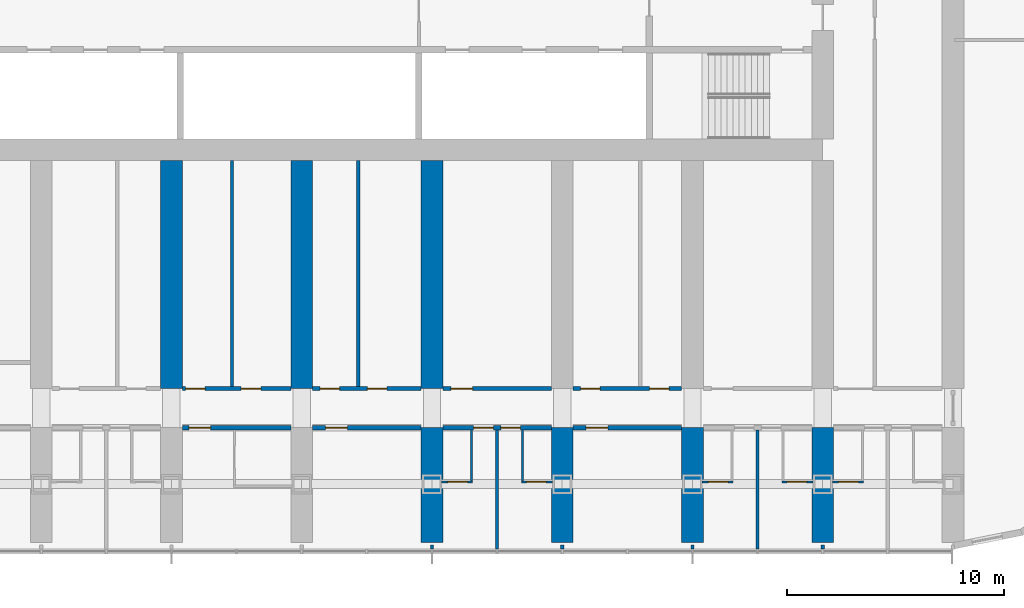
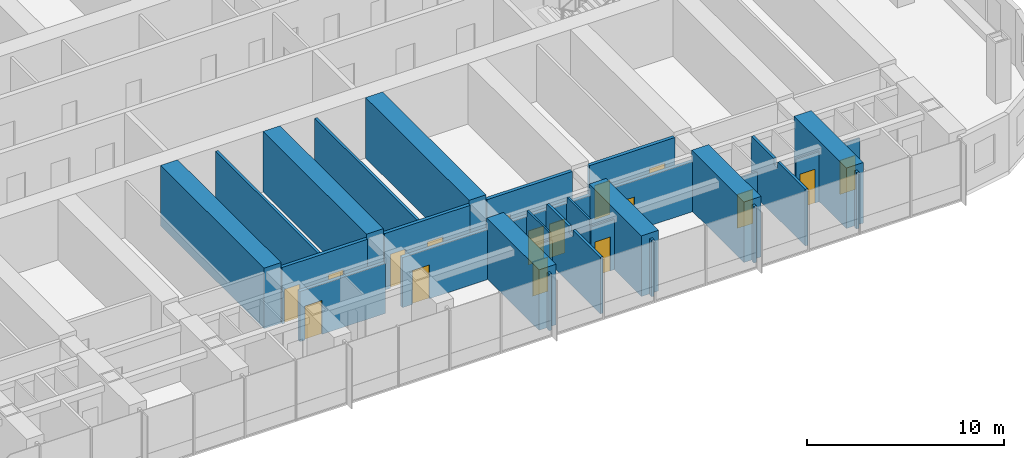
# One storey, part 12 of 24: 30 walls, 17 doors, 17 openings.
"""IFC4 building model written with IfcOpenShell, lengths in metres."""

import ifcopenshell
import ifcopenshell.guid

model = None  # the IFC model being written
_history = None  # IfcOwnerHistory: only IFC2X3 demands one
_inside = {}  # id of a spatial element -> (the spatial element, [elements in it])
_under = {}  # id of a project, library or spatial element -> (it, [spatial elements below it])
_declared = {}  # id of a project -> (the project, [libraries it declares])
_typed = {}  # id of a type object -> (the type object, [elements of that type])
_made_of = {}  # id of a material, layer set ... -> (it, [elements and type objects made of it])


def new_model(schema):
    """Start an empty IFC model of exactly this schema.

    Asked for "IFC4X3", IfcOpenShell would pick the latest addendum, in which some entities
    have other attributes; the version numbers below select the first issue.
    IFC2X3 requires an IfcOwnerHistory on every rooted entity: one is made here for all.
    """
    global model, _history
    if schema == "IFC4X3":
        model = ifcopenshell.file(schema_version=(4, 3, 0, 0))
    else:
        model = ifcopenshell.file(schema=schema)
    _inside.clear()
    _under.clear()
    _declared.clear()
    _typed.clear()
    _made_of.clear()
    _history = None
    if model.schema == "IFC2X3":
        org = make("IfcOrganization", Name="unknown")
        user = make(
            "IfcPersonAndOrganization",
            ThePerson=make("IfcPerson", FamilyName="unknown"),
            TheOrganization=org,
        )
        app = make(
            "IfcApplication",
            ApplicationDeveloper=org,
            Version="unknown",
            ApplicationFullName="unknown",
            ApplicationIdentifier="unknown",
        )
        _history = make(
            "IfcOwnerHistory",
            OwningUser=user,
            OwningApplication=app,
            ChangeAction="ADDED",
            CreationDate=0,
        )
    return model


def make(cls, **values):
    """One entity of the class cls with the attributes given. An attribute that is None is left unset."""
    return model.create_entity(
        cls, **{name: value for name, value in values.items() if value is not None}
    )


def rooted(cls, **values):
    """An entity with a GlobalId (a new one), such as an element, a storey or a relation."""
    return make(cls, GlobalId=ifcopenshell.guid.new(), OwnerHistory=_history, **values)


def si_unit(unit_type, name, prefix=None):
    """IfcSIUnit, for example si_unit("LENGTHUNIT", "METRE", prefix="MILLI")."""
    return make("IfcSIUnit", UnitType=unit_type, Prefix=prefix, Name=name)


def assignment(units):
    """IfcUnitAssignment: the units of a project."""
    return None if units is None else make("IfcUnitAssignment", Units=units)


def point(xyz):
    """IfcCartesianPoint."""
    return None if xyz is None else make("IfcCartesianPoint", Coordinates=xyz)


def direction(xyz):
    """IfcDirection."""
    return None if xyz is None else make("IfcDirection", DirectionRatios=xyz)


def frame(location, z_axis=None, x_axis=None):
    """IfcAxis2Placement3D, a coordinate frame: its origin and axes. An axis left out is left unset."""
    return make(
        "IfcAxis2Placement3D",
        Location=point(location),
        Axis=direction(z_axis),
        RefDirection=direction(x_axis),
    )


def frame_2d(location, x_axis=None):
    """IfcAxis2Placement2D, a coordinate frame in the plane: its origin and x axis."""
    return make(
        "IfcAxis2Placement2D", Location=point(location), RefDirection=direction(x_axis)
    )


def origin():
    """The frame at (0, 0, 0) with its axes left unset."""
    return frame((0.0, 0.0, 0.0))


def place(relative_to, where):
    """IfcLocalPlacement: puts the frame where relative to a parent placement (None: the world)."""
    return make(
        "IfcLocalPlacement", PlacementRelTo=relative_to, RelativePlacement=where
    )


def context(
    kind, dimensions, precision=None, world=None, true_north=None, identifier=None
):
    """IfcGeometricRepresentationContext, for example the 3D "Model" context."""
    return make(
        "IfcGeometricRepresentationContext",
        ContextIdentifier=identifier,
        ContextType=kind,
        CoordinateSpaceDimension=dimensions,
        Precision=precision,
        WorldCoordinateSystem=world,
        TrueNorth=true_north,
    )


def subcontext(parent, identifier, kind, view, scale=None):
    """IfcGeometricRepresentationSubContext, for example "Body" below "Model"."""
    return make(
        "IfcGeometricRepresentationSubContext",
        ContextIdentifier=identifier,
        ContextType=kind,
        ParentContext=parent,
        TargetScale=scale,
        TargetView=view,
    )


def project(units=None, contexts=None):
    """IfcProject with its units and contexts."""
    return rooted(
        "IfcProject",
        Name="project",
        RepresentationContexts=contexts,
        UnitsInContext=assignment(units),
    )


def spatial(cls, under=None, at=None, **own):
    """A site, building, storey or space (cls), placed at a placement, below another one or the project."""
    s = rooted(cls, ObjectPlacement=at, **own)
    if under is not None:
        _under.setdefault(under.id(), (under, []))[1].append(s)
    return s


def polyline(points):
    """IfcPolyline through the points."""
    return make("IfcPolyline", Points=[point(p) for p in points])


def profile(cls, at=None, kind="AREA", **sizes):
    """A parametric profile (cls). Its sizes go by their IFC names, for example OverallWidth=200.0."""
    return make(cls, ProfileType=kind, Position=at, **sizes)


def rectangle(**sizes):
    """IfcRectangleProfileDef."""
    return profile("IfcRectangleProfileDef", **sizes)


def outline(outer, holes=None, kind="AREA"):
    """IfcArbitraryClosedProfileDef: a profile drawn as a closed curve; with holes, ...WithVoids."""
    if holes is None:
        return make("IfcArbitraryClosedProfileDef", ProfileType=kind, OuterCurve=outer)
    return make(
        "IfcArbitraryProfileDefWithVoids",
        ProfileType=kind,
        OuterCurve=outer,
        InnerCurves=holes,
    )


def extrude(swept, where, along, depth):
    """IfcExtrudedAreaSolid: the profile swept, set in the frame where, extruded along a direction by depth."""
    return make(
        "IfcExtrudedAreaSolid",
        SweptArea=swept,
        Position=where,
        ExtrudedDirection=direction(along),
        Depth=depth,
    )


def shape(context_of_items, identifier, shape_type, items):
    """IfcShapeRepresentation: the items that make up one representation, for example the "Body"."""
    return make(
        "IfcShapeRepresentation",
        ContextOfItems=context_of_items,
        RepresentationIdentifier=identifier,
        RepresentationType=shape_type,
        Items=items,
    )


def material(Name=None, Category=None):
    """IfcMaterial."""
    return make("IfcMaterial", Name=Name, Category=Category)


def layer(
    of_material, thickness, ventilated=None, Name=None, Category=None, Priority=None
):
    """IfcMaterialLayer: one layer of a wall or slab, of a material (None: an air gap)."""
    return make(
        "IfcMaterialLayer",
        Material=of_material,
        LayerThickness=thickness,
        IsVentilated=ventilated,
        Name=Name,
        Category=Category,
        Priority=Priority,
    )


def layer_set(layers, Name=None):
    """IfcMaterialLayerSet."""
    return make("IfcMaterialLayerSet", MaterialLayers=layers, LayerSetName=Name)


def made_of(thing, what):
    """Note that an element or type object is made of a material, layer set ...; save() writes the relation."""
    if what is not None:
        _made_of.setdefault(what.id(), (what, []))[1].append(thing)
    return thing


def type_object(cls, material=None, **own):
    """A type object (cls), such as IfcWallType, which elements share."""
    return made_of(rooted(cls, **own), material)


def element(
    cls,
    number,
    at=None,
    inside=None,
    cuts=None,
    type_object=None,
    material=None,
    context=None,
    identifier="Body",
    shape_type=None,
    held_by="IfcProductDefinitionShape",
    body=None,
    shapes=None,
    **own,
):
    """One element of the class cls, such as IfcWall. Its Tag is "e" and its number.

    at: its placement. inside: the storey or other place that contains it. cuts: it is an
    opening in that element (IfcRelVoidsElement). A single representation is given by context,
    identifier, shape_type and body (its items); several are given by shapes. held_by: the class
    of the entity that holds the representations. save() writes the other relations.
    """
    e = rooted(cls, Tag="e%d" % number, ObjectPlacement=at, **own)
    if body is not None:
        shapes = [shape(context, identifier, shape_type, body)]
    if shapes is not None:
        e.Representation = make(held_by, Representations=shapes)
    if inside is not None:
        _inside.setdefault(inside.id(), (inside, []))[1].append(e)
    if cuts is not None:
        rooted(
            "IfcRelVoidsElement", RelatingBuildingElement=cuts, RelatedOpeningElement=e
        )
    if type_object is not None:
        _typed.setdefault(type_object.id(), (type_object, []))[1].append(e)
    return made_of(e, material)


def fill(opening, filler):
    """IfcRelFillsElement: the door or window that sits in an opening."""
    return rooted(
        "IfcRelFillsElement",
        RelatingOpeningElement=opening,
        RelatedBuildingElement=filler,
    )


def aggregate(whole, parts):
    """IfcRelAggregates: a whole, such as a stair, and the parts it consists of."""
    return rooted("IfcRelAggregates", RelatingObject=whole, RelatedObjects=parts)


def save(model, path):
    """Write the relations noted so far, then the file.

    IfcRelAggregates (storeys below a building ...), IfcRelContainedInSpatialStructure (elements
    in a storey), IfcRelDefinesByType, IfcRelAssociatesMaterial and IfcRelDeclares: one each for
    every whole, place, type object, material and project.
    """
    for whole, parts in _under.values():
        aggregate(whole, parts)
    for where, things in _inside.values():
        rooted(
            "IfcRelContainedInSpatialStructure",
            RelatedElements=things,
            RelatingStructure=where,
        )
    for kind, things in _typed.values():
        rooted("IfcRelDefinesByType", RelatedObjects=things, RelatingType=kind)
    for what, things in _made_of.values():
        rooted("IfcRelAssociatesMaterial", RelatedObjects=things, RelatingMaterial=what)
    for by, libraries in _declared.values():
        rooted("IfcRelDeclares", RelatingContext=by, RelatedDefinitions=libraries)
    model.write(path)


model = new_model("IFC4")

# Units and contexts
model_context = context("Model", 3, precision=1e-05, world=origin(), true_north=direction((0.0, 1.0)))
body_context = subcontext(model_context, "Body", "Model", "MODEL_VIEW")
ifc_project = project(units=[si_unit("LENGTHUNIT", "METRE"), si_unit("AREAUNIT", "SQUARE_METRE"), si_unit("VOLUMEUNIT", "CUBIC_METRE"), si_unit("PLANEANGLEUNIT", "RADIAN"), si_unit("MASSUNIT", "GRAM", prefix="KILO")], contexts=[model_context])

# Site, building, storey
site_placement = place(None, origin())
site = spatial("IfcSite", under=ifc_project, at=site_placement, CompositionType="ELEMENT")
building_placement = place(site_placement, origin())
building = spatial("IfcBuilding", under=site, at=building_placement, Name="Orbita Commons", CompositionType="ELEMENT")
storey_placement = place(building_placement, frame((0.0, 0.0, 27.699951171875)))
storey = spatial("IfcBuildingStorey", under=building, at=storey_placement, Name="L06", CompositionType="ELEMENT", Elevation=27.699951171875)

# Wall, opening, door
ifc_material_1 = material(Name="Concrete blockwork", Category="masonry")
ifc_layer_1 = layer(ifc_material_1, 0.199951171875)
ifc_layer_set_1 = layer_set([ifc_layer_1], Name="Concrete blockwork")
wall_type_1 = type_object("IfcWallType", Name="Corridor wall 200 blockwork", PredefinedType="SOLIDWALL", material=ifc_layer_set_1)
wall_1_placement = place(storey_placement, frame((36.5, 13.0, 0.0), z_axis=(0.0, 0.0, 1.0), x_axis=(1.0, 0.0, 0.0)))
wall_1 = element("IfcWall", 1, at=wall_1_placement, inside=storey, type_object=wall_type_1, Name="Corridor wall 200 blockwork L06", PredefinedType="SOLIDWALL", context=body_context, shape_type="SweptSolid", body=[
    extrude(outline(polyline([(0.0, 0.0), (5.0, 0.0), (5.0, 3.10009765625), (0.0, 3.10009765625), (0.0, 0.0)])), frame((0.0, 0.10009765625, 0.0), z_axis=(0.0, -1.0, 0.0), x_axis=(1.0, 0.0, 0.0)), (0.0, 0.0, 1.0), 0.199951171875),
])
opening_1_placement = place(wall_1_placement, frame((0.300048828125, 0.0, 0.0)))
opening_1 = element("IfcOpeningElement", 2, at=opening_1_placement, cuts=wall_1, Name="Opening D06", PredefinedType="OPENING", context=body_context, shape_type="SweptSolid", body=[
    extrude(rectangle(XDim=1.0, YDim=2.10009765625, at=frame_2d((0.5, 1.050048828125))), frame((0.0, 0.10986328125, 0.0), z_axis=(0.0, -1.0, 0.0), x_axis=(1.0, 0.0, 0.0)), (0.0, 0.0, 1.0), 0.219970703125),
])
ifc_material_2 = material(Name="Steel-faced fire door leaf", Category="steel")
door_type_1 = type_object("IfcDoorType", Name="Corridor door 20 min 1000x2100", OperationType="SINGLE_SWING_LEFT", PredefinedType="DOOR", material=ifc_material_2)
door_1_placement = place(opening_1_placement, origin())
door_1 = element("IfcDoor", 3, at=door_1_placement, inside=storey, type_object=door_type_1, Name="Accessible bedroom L06-S08 door", OperationType="SINGLE_SWING_LEFT", OverallHeight=2.10009765625, OverallWidth=1.0, PredefinedType="DOOR", context=body_context, shape_type="SweptSolid", body=[
    extrude(rectangle(XDim=1.0, YDim=2.10009765625, at=frame_2d((0.5, 1.050048828125))), frame((0.0, 0.02490234375, 0.0), z_axis=(0.0, -1.0, 0.0), x_axis=(1.0, 0.0, 0.0)), (0.0, 0.0, 1.0), 0.050048828125),
])
fill(opening_1, door_1)

wall_2_placement = place(storey_placement, frame((42.5, 13.0, 0.0), z_axis=(0.0, 0.0, 1.0), x_axis=(1.0, 0.0, 0.0)))
wall_2 = element("IfcWall", 4, at=wall_2_placement, inside=storey, type_object=wall_type_1, Name="Corridor wall 200 blockwork L06", PredefinedType="SOLIDWALL", context=body_context, shape_type="SweptSolid", body=[
    extrude(outline(polyline([(0.0, 0.0), (5.0, 0.0), (5.0, 3.10009765625), (0.0, 3.10009765625), (0.0, 0.0)])), frame((0.0, 0.10009765625, 0.0), z_axis=(0.0, -1.0, 0.0), x_axis=(1.0, 0.0, 0.0)), (0.0, 0.0, 1.0), 0.199951171875),
])
opening_2_placement = place(wall_2_placement, frame((0.60009765625, 0.0, 0.0)))
opening_2 = element("IfcOpeningElement", 5, at=opening_2_placement, cuts=wall_2, Name="Opening D06", PredefinedType="OPENING", context=body_context, shape_type="SweptSolid", body=[
    extrude(rectangle(XDim=1.0, YDim=2.10009765625, at=frame_2d((0.5, 1.050048828125))), frame((0.0, 0.10986328125, 0.0), z_axis=(0.0, -1.0, 0.0), x_axis=(1.0, 0.0, 0.0)), (0.0, 0.0, 1.0), 0.219970703125),
])
door_2_placement = place(opening_2_placement, origin())
door_2 = element("IfcDoor", 6, at=door_2_placement, inside=storey, type_object=door_type_1, Name="House kitchen-diner L06-S10 door", OperationType="SINGLE_SWING_LEFT", OverallHeight=2.10009765625, OverallWidth=1.0, PredefinedType="DOOR", context=body_context, shape_type="SweptSolid", body=[
    extrude(rectangle(XDim=1.0, YDim=2.10009765625, at=frame_2d((0.5, 1.050048828125))), frame((0.0, 0.02490234375, 0.0), z_axis=(0.0, -1.0, 0.0), x_axis=(1.0, 0.0, 0.0)), (0.0, 0.0, 1.0), 0.050048828125),
])
fill(opening_2, door_2)

# Wall, openings, doors
wall_3_placement = place(storey_placement, frame((48.5, 13.0, 0.0), z_axis=(0.0, 0.0, 1.0), x_axis=(1.0, 0.0, 0.0)))
wall_3 = element("IfcWall", 7, at=wall_3_placement, inside=storey, type_object=wall_type_1, Name="Corridor wall 200 blockwork L06", PredefinedType="SOLIDWALL", context=body_context, shape_type="SweptSolid", body=[
    extrude(outline(polyline([(0.0, 0.0), (5.0, 0.0), (5.0, 3.10009765625), (0.0, 3.10009765625), (0.0, 0.0)])), frame((0.0, 0.10009765625, 0.0), z_axis=(0.0, -1.0, 0.0), x_axis=(1.0, 0.0, 0.0)), (0.0, 0.0, 1.0), 0.199951171875),
])
opening_3_placement = place(wall_3_placement, frame((1.425048828125, 0.0, 0.0)))
opening_3 = element("IfcOpeningElement", 8, at=opening_3_placement, cuts=wall_3, Name="Opening D11", PredefinedType="OPENING", context=body_context, shape_type="SweptSolid", body=[
    extrude(rectangle(XDim=0.89990234375, YDim=2.10009765625, at=frame_2d((0.449951171875, 1.050048828125))), frame((0.0, 0.10986328125, 0.0), z_axis=(0.0, -1.0, 0.0), x_axis=(1.0, 0.0, 0.0)), (0.0, 0.0, 1.0), 0.219970703125),
])
opening_4_placement = place(wall_3_placement, frame((2.675048828125, 0.0, 0.0)))
opening_4 = element("IfcOpeningElement", 9, at=opening_4_placement, cuts=wall_3, Name="Opening D11", PredefinedType="OPENING", context=body_context, shape_type="SweptSolid", body=[
    extrude(rectangle(XDim=0.89990234375, YDim=2.10009765625, at=frame_2d((0.449951171875, 1.050048828125))), frame((0.0, 0.10986328125, 0.0), z_axis=(0.0, -1.0, 0.0), x_axis=(1.0, 0.0, 0.0)), (0.0, 0.0, 1.0), 0.219970703125),
])
ifc_material_3 = material(Name="Steel-faced fire door leaf", Category="steel")
door_type_2 = type_object("IfcDoorType", Name="Corridor door 20 min 900x2100", OperationType="SINGLE_SWING_LEFT", PredefinedType="DOOR", material=ifc_material_3)
door_3_placement = place(opening_3_placement, origin())
door_3 = element("IfcDoor", 10, at=door_3_placement, inside=storey, type_object=door_type_2, Name="House bedroom L06-S12 door", OperationType="SINGLE_SWING_LEFT", OverallHeight=2.10009765625, OverallWidth=0.89990234375, PredefinedType="DOOR", context=body_context, shape_type="SweptSolid", body=[
    extrude(rectangle(XDim=0.89990234375, YDim=2.10009765625, at=frame_2d((0.449951171875, 1.050048828125))), frame((0.0, 0.02490234375, 0.0), z_axis=(0.0, -1.0, 0.0), x_axis=(1.0, 0.0, 0.0)), (0.0, 0.0, 1.0), 0.050048828125),
])
fill(opening_3, door_3)
door_4_placement = place(opening_4_placement, origin())
door_4 = element("IfcDoor", 11, at=door_4_placement, inside=storey, type_object=door_type_2, Name="House bedroom L06-S13 door", OperationType="SINGLE_SWING_LEFT", OverallHeight=2.10009765625, OverallWidth=0.89990234375, PredefinedType="DOOR", context=body_context, shape_type="SweptSolid", body=[
    extrude(rectangle(XDim=0.89990234375, YDim=2.10009765625, at=frame_2d((0.449951171875, 1.050048828125))), frame((0.0, 0.02490234375, 0.0), z_axis=(0.0, -1.0, 0.0), x_axis=(1.0, 0.0, 0.0)), (0.0, 0.0, 1.0), 0.050048828125),
])
fill(opening_4, door_4)

# Wall, opening, door
wall_4_placement = place(storey_placement, frame((54.5, 13.0, 0.0), z_axis=(0.0, 0.0, 1.0), x_axis=(1.0, 0.0, 0.0)))
wall_4 = element("IfcWall", 12, at=wall_4_placement, inside=storey, type_object=wall_type_1, Name="Corridor wall 200 blockwork L06", PredefinedType="SOLIDWALL", context=body_context, shape_type="SweptSolid", body=[
    extrude(outline(polyline([(0.0, 0.0), (5.0, 0.0), (5.0, 3.10009765625), (0.0, 3.10009765625), (0.0, 0.0)])), frame((0.0, 0.10009765625, 0.0), z_axis=(0.0, -1.0, 0.0), x_axis=(1.0, 0.0, 0.0)), (0.0, 0.0, 1.0), 0.199951171875),
])
opening_5_placement = place(wall_4_placement, frame((0.60009765625, 0.0, 0.0)))
opening_5 = element("IfcOpeningElement", 13, at=opening_5_placement, cuts=wall_4, Name="Opening D06", PredefinedType="OPENING", context=body_context, shape_type="SweptSolid", body=[
    extrude(rectangle(XDim=1.0, YDim=2.10009765625, at=frame_2d((0.5, 1.050048828125))), frame((0.0, 0.10986328125, 0.0), z_axis=(0.0, -1.0, 0.0), x_axis=(1.0, 0.0, 0.0)), (0.0, 0.0, 1.0), 0.219970703125),
])
door_5_placement = place(opening_5_placement, origin())
door_5 = element("IfcDoor", 14, at=door_5_placement, inside=storey, type_object=door_type_1, Name="House study room L06-S14 door", OperationType="SINGLE_SWING_LEFT", OverallHeight=2.10009765625, OverallWidth=1.0, PredefinedType="DOOR", context=body_context, shape_type="SweptSolid", body=[
    extrude(rectangle(XDim=1.0, YDim=2.10009765625, at=frame_2d((0.5, 1.050048828125))), frame((0.0, 0.02490234375, 0.0), z_axis=(0.0, -1.0, 0.0), x_axis=(1.0, 0.0, 0.0)), (0.0, 0.0, 1.0), 0.050048828125),
])
fill(opening_5, door_5)

# Wall, openings, doors
ifc_material_4 = material(Name="Hollow concrete block 200", Category="concrete")
ifc_layer_2 = layer(ifc_material_4, 0.199951171875)
ifc_layer_set_2 = layer_set([ifc_layer_2], Name="Hollow concrete block 200")
wall_type_2 = type_object("IfcWallType", Name="Corridor wall 200 hollow concrete block", PredefinedType="SOLIDWALL", material=ifc_layer_set_2)
wall_5_placement = place(storey_placement, frame((36.5, 14.800048828125, 0.0), z_axis=(0.0, 0.0, 1.0), x_axis=(1.0, 0.0, 0.0)))
wall_5 = element("IfcWall", 15, at=wall_5_placement, inside=storey, type_object=wall_type_2, Name="Corridor wall 200 hollow concrete block L06", PredefinedType="SOLIDWALL", context=body_context, shape_type="SweptSolid", body=[
    extrude(rectangle(XDim=5.0, YDim=0.199951171875, at=frame_2d((2.5, 0.0))), origin(), (0.0, 0.0, 1.0), 3.5),
])
opening_6_placement = place(wall_5_placement, frame((0.14990234375, 0.0, 0.0)))
opening_6 = element("IfcOpeningElement", 16, at=opening_6_placement, cuts=wall_5, Name="Opening D11", PredefinedType="OPENING", context=body_context, shape_type="SweptSolid", body=[
    extrude(rectangle(XDim=0.89990234375, YDim=2.10009765625, at=frame_2d((0.449951171875, 1.050048828125))), frame((0.0, 0.10986328125, 0.0), z_axis=(0.0, -1.0, 0.0), x_axis=(1.0, 0.0, 0.0)), (0.0, 0.0, 1.0), 0.219970703125),
])
opening_7_placement = place(wall_5_placement, frame((2.715087890625, 0.0, 0.0)))
opening_7 = element("IfcOpeningElement", 17, at=opening_7_placement, cuts=wall_5, Name="Opening D11", PredefinedType="OPENING", context=body_context, shape_type="SweptSolid", body=[
    extrude(rectangle(XDim=0.89990234375, YDim=2.10009765625, at=frame_2d((0.449951171875, 1.050048828125))), frame((0.0, 0.10986328125, 0.0), z_axis=(0.0, -1.0, 0.0), x_axis=(1.0, 0.0, 0.0)), (0.0, 0.0, 1.0), 0.219970703125),
])
door_6_placement = place(opening_6_placement, origin())
door_6 = element("IfcDoor", 18, at=door_6_placement, inside=storey, type_object=door_type_2, Name="Quiet room L06-BDS36 door", OperationType="SINGLE_SWING_LEFT", OverallHeight=2.10009765625, OverallWidth=0.89990234375, PredefinedType="DOOR", context=body_context, shape_type="SweptSolid", body=[
    extrude(rectangle(XDim=0.89990234375, YDim=2.10009765625, at=frame_2d((0.449951171875, 1.050048828125))), frame((0.0, 0.02490234375, 0.0), z_axis=(0.0, -1.0, 0.0), x_axis=(1.0, 0.0, 0.0)), (0.0, 0.0, 1.0), 0.050048828125),
])
fill(opening_6, door_6)
door_7_placement = place(opening_7_placement, origin())
door_7 = element("IfcDoor", 19, at=door_7_placement, inside=storey, type_object=door_type_2, Name="Equipment store L06-BDS36n door", OperationType="SINGLE_SWING_LEFT", OverallHeight=2.10009765625, OverallWidth=0.89990234375, PredefinedType="DOOR", context=body_context, shape_type="SweptSolid", body=[
    extrude(rectangle(XDim=0.89990234375, YDim=2.10009765625, at=frame_2d((0.449951171875, 1.050048828125))), frame((0.0, 0.02490234375, 0.0), z_axis=(0.0, -1.0, 0.0), x_axis=(1.0, 0.0, 0.0)), (0.0, 0.0, 1.0), 0.050048828125),
])
fill(opening_7, door_7)

wall_6_placement = place(storey_placement, frame((42.5, 14.800048828125, 0.0), z_axis=(0.0, 0.0, 1.0), x_axis=(1.0, 0.0, 0.0)))
wall_6 = element("IfcWall", 20, at=wall_6_placement, inside=storey, type_object=wall_type_2, Name="Corridor wall 200 hollow concrete block L06", PredefinedType="SOLIDWALL", context=body_context, shape_type="SweptSolid", body=[
    extrude(rectangle(XDim=5.0, YDim=0.199951171875, at=frame_2d((2.5, 0.0))), origin(), (0.0, 0.0, 1.0), 3.5),
])
opening_8_placement = place(wall_6_placement, frame((0.35009765625, 0.0, 0.0)))
opening_8 = element("IfcOpeningElement", 21, at=opening_8_placement, cuts=wall_6, Name="Opening D11", PredefinedType="OPENING", context=body_context, shape_type="SweptSolid", body=[
    extrude(rectangle(XDim=0.89990234375, YDim=2.10009765625, at=frame_2d((0.449951171875, 1.050048828125))), frame((0.0, 0.10986328125, 0.0), z_axis=(0.0, -1.0, 0.0), x_axis=(1.0, 0.0, 0.0)), (0.0, 0.0, 1.0), 0.219970703125),
])
opening_9_placement = place(wall_6_placement, frame((2.52490234375, 0.0, 0.0)))
opening_9 = element("IfcOpeningElement", 22, at=opening_9_placement, cuts=wall_6, Name="Opening D11", PredefinedType="OPENING", context=body_context, shape_type="SweptSolid", body=[
    extrude(rectangle(XDim=0.89990234375, YDim=2.10009765625, at=frame_2d((0.449951171875, 1.050048828125))), frame((0.0, 0.10986328125, 0.0), z_axis=(0.0, -1.0, 0.0), x_axis=(1.0, 0.0, 0.0)), (0.0, 0.0, 1.0), 0.219970703125),
])
door_8_placement = place(opening_8_placement, origin())
door_8 = element("IfcDoor", 23, at=door_8_placement, inside=storey, type_object=door_type_2, Name="Battery and UPS room L06-BDS42n door", OperationType="SINGLE_SWING_LEFT", OverallHeight=2.10009765625, OverallWidth=0.89990234375, PredefinedType="DOOR", context=body_context, shape_type="SweptSolid", body=[
    extrude(rectangle(XDim=0.89990234375, YDim=2.10009765625, at=frame_2d((0.449951171875, 1.050048828125))), frame((0.0, 0.02490234375, 0.0), z_axis=(0.0, -1.0, 0.0), x_axis=(1.0, 0.0, 0.0)), (0.0, 0.0, 1.0), 0.050048828125),
])
fill(opening_8, door_8)
door_9_placement = place(opening_9_placement, origin())
door_9 = element("IfcDoor", 24, at=door_9_placement, inside=storey, type_object=door_type_2, Name="House pantry L06-BDS42 door", OperationType="SINGLE_SWING_LEFT", OverallHeight=2.10009765625, OverallWidth=0.89990234375, PredefinedType="DOOR", context=body_context, shape_type="SweptSolid", body=[
    extrude(rectangle(XDim=0.89990234375, YDim=2.10009765625, at=frame_2d((0.449951171875, 1.050048828125))), frame((0.0, 0.02490234375, 0.0), z_axis=(0.0, -1.0, 0.0), x_axis=(1.0, 0.0, 0.0)), (0.0, 0.0, 1.0), 0.050048828125),
])
fill(opening_9, door_9)

# Wall, opening, door
wall_7_placement = place(storey_placement, frame((48.5, 14.800048828125, 0.0), z_axis=(0.0, 0.0, 1.0), x_axis=(1.0, 0.0, 0.0)))
wall_7 = element("IfcWall", 25, at=wall_7_placement, inside=storey, type_object=wall_type_2, Name="Corridor wall 200 hollow concrete block L06", PredefinedType="SOLIDWALL", context=body_context, shape_type="SweptSolid", body=[
    extrude(rectangle(XDim=5.0, YDim=0.199951171875, at=frame_2d((2.5, 0.0))), origin(), (0.0, 0.0, 1.0), 3.5),
])
opening_10_placement = place(wall_7_placement, frame((0.375, 0.0, 0.0)))
opening_10 = element("IfcOpeningElement", 26, at=opening_10_placement, cuts=wall_7, Name="Opening D06", PredefinedType="OPENING", context=body_context, shape_type="SweptSolid", body=[
    extrude(rectangle(XDim=1.0, YDim=2.10009765625, at=frame_2d((0.5, 1.050048828125))), frame((0.0, 0.10986328125, 0.0), z_axis=(0.0, -1.0, 0.0), x_axis=(1.0, 0.0, 0.0)), (0.0, 0.0, 1.0), 0.219970703125),
])
door_10_placement = place(opening_10_placement, origin())
door_10 = element("IfcDoor", 27, at=door_10_placement, inside=storey, type_object=door_type_1, Name="Linen store L06-BDS48 door", OperationType="SINGLE_SWING_LEFT", OverallHeight=2.10009765625, OverallWidth=1.0, PredefinedType="DOOR", context=body_context, shape_type="SweptSolid", body=[
    extrude(rectangle(XDim=1.0, YDim=2.10009765625, at=frame_2d((0.5, 1.050048828125))), frame((0.0, 0.02490234375, 0.0), z_axis=(0.0, -1.0, 0.0), x_axis=(1.0, 0.0, 0.0)), (0.0, 0.0, 1.0), 0.050048828125),
])
fill(opening_10, door_10)

# Wall, openings, doors
wall_8_placement = place(storey_placement, frame((54.5, 14.800048828125, 0.0), z_axis=(0.0, 0.0, 1.0), x_axis=(1.0, 0.0, 0.0)))
wall_8 = element("IfcWall", 28, at=wall_8_placement, inside=storey, type_object=wall_type_2, Name="Corridor wall 200 hollow concrete block L06", PredefinedType="SOLIDWALL", context=body_context, shape_type="SweptSolid", body=[
    extrude(rectangle(XDim=5.0, YDim=0.199951171875, at=frame_2d((2.5, 0.0))), origin(), (0.0, 0.0, 1.0), 3.5),
])
opening_11_placement = place(wall_8_placement, frame((0.35009765625, 0.0, 0.0)))
opening_11 = element("IfcOpeningElement", 29, at=opening_11_placement, cuts=wall_8, Name="Opening D11", PredefinedType="OPENING", context=body_context, shape_type="SweptSolid", body=[
    extrude(rectangle(XDim=0.89990234375, YDim=2.10009765625, at=frame_2d((0.449951171875, 1.050048828125))), frame((0.0, 0.10986328125, 0.0), z_axis=(0.0, -1.0, 0.0), x_axis=(1.0, 0.0, 0.0)), (0.0, 0.0, 1.0), 0.219970703125),
])
opening_12_placement = place(wall_8_placement, frame((3.52490234375, 0.0, 0.0)))
opening_12 = element("IfcOpeningElement", 30, at=opening_12_placement, cuts=wall_8, Name="Opening D11", PredefinedType="OPENING", context=body_context, shape_type="SweptSolid", body=[
    extrude(rectangle(XDim=0.89990234375, YDim=2.10009765625, at=frame_2d((0.449951171875, 1.050048828125))), frame((0.0, 0.10986328125, 0.0), z_axis=(0.0, -1.0, 0.0), x_axis=(1.0, 0.0, 0.0)), (0.0, 0.0, 1.0), 0.219970703125),
])
door_11_placement = place(opening_11_placement, origin())
door_11 = element("IfcDoor", 31, at=door_11_placement, inside=storey, type_object=door_type_2, Name="Sprinkler valve room L06-BDS54n door", OperationType="SINGLE_SWING_LEFT", OverallHeight=2.10009765625, OverallWidth=0.89990234375, PredefinedType="DOOR", context=body_context, shape_type="SweptSolid", body=[
    extrude(rectangle(XDim=0.89990234375, YDim=2.10009765625, at=frame_2d((0.449951171875, 1.050048828125))), frame((0.0, 0.02490234375, 0.0), z_axis=(0.0, -1.0, 0.0), x_axis=(1.0, 0.0, 0.0)), (0.0, 0.0, 1.0), 0.050048828125),
])
fill(opening_11, door_11)
door_12_placement = place(opening_12_placement, origin())
door_12 = element("IfcDoor", 32, at=door_12_placement, inside=storey, type_object=door_type_2, Name="Parcel and post room L06-BDS54 door", OperationType="SINGLE_SWING_LEFT", OverallHeight=2.10009765625, OverallWidth=0.89990234375, PredefinedType="DOOR", context=body_context, shape_type="SweptSolid", body=[
    extrude(rectangle(XDim=0.89990234375, YDim=2.10009765625, at=frame_2d((0.449951171875, 1.050048828125))), frame((0.0, 0.02490234375, 0.0), z_axis=(0.0, -1.0, 0.0), x_axis=(1.0, 0.0, 0.0)), (0.0, 0.0, 1.0), 0.050048828125),
])
fill(opening_12, door_12)

# Walls
ifc_material_5 = material(Name="Concrete C50/60", Category="concrete")
ifc_layer_3 = layer(ifc_material_5, 1.0)
ifc_layer_set_3 = layer_set([ifc_layer_3], Name="Concrete C50/60")
wall_type_3 = type_object("IfcWallType", Name="Cross wall 1000 C50/60", PredefinedType="SHEAR", material=ifc_layer_set_3)
for number, where, z_axis, x_axis, name in (
    (33, (36.0, 14.800048828125, 0.0), (0.0, 0.0, 1.0), (0.0, 1.0, 0.0), "Cross wall 7 south inner L06"),
    (34, (42.0, 14.800048828125, 0.0), (0.0, 0.0, 1.0), (0.0, 1.0, 0.0), "Cross wall 8 south inner L06"),
):
    element("IfcWall", number, at=place(storey_placement, frame(where, z_axis=z_axis, x_axis=x_axis)), inside=storey, type_object=wall_type_3, Name=name, PredefinedType="SHEAR", context=body_context, shape_type="SweptSolid", body=[
        extrude(rectangle(XDim=10.5, YDim=1.0, at=frame_2d((5.25, 0.0))), origin(), (0.0, 0.0, 1.0), 3.75),
    ])
wall_9_placement = place(storey_placement, frame((48.0, 7.699951171875, 0.0), z_axis=(0.0, 0.0, 1.0), x_axis=(0.0, 1.0, 0.0)))
element("IfcWall", 35, at=wall_9_placement, inside=storey, type_object=wall_type_3, Name="Cross wall 9 south outer L06", PredefinedType="SHEAR", context=body_context, shape_type="SweptSolid", body=[
    extrude(rectangle(XDim=5.300048828125, YDim=1.0, at=frame_2d((2.64990234375, 0.0))), origin(), (0.0, 0.0, 1.0), 3.75),
])
wall_10_placement = place(storey_placement, frame((48.0, 14.800048828125, 0.0), z_axis=(0.0, 0.0, 1.0), x_axis=(0.0, 1.0, 0.0)))
element("IfcWall", 36, at=wall_10_placement, inside=storey, type_object=wall_type_3, Name="Cross wall 9 south inner L06", PredefinedType="SHEAR", context=body_context, shape_type="SweptSolid", body=[
    extrude(rectangle(XDim=10.5, YDim=1.0, at=frame_2d((5.25, 0.0))), origin(), (0.0, 0.0, 1.0), 3.75),
])
for number, where, z_axis, x_axis, name in (
    (37, (54.0, 7.699951171875, 0.0), (0.0, 0.0, 1.0), (0.0, 1.0, 0.0), "Cross wall 10 south outer L06"),
    (38, (60.0, 7.699951171875, 0.0), (0.0, 0.0, 1.0), (0.0, 1.0, 0.0), "Cross wall 11 south outer L06"),
    (39, (66.0, 7.699951171875, 0.0), (0.0, 0.0, 1.0), (0.0, 1.0, 0.0), "Cross wall 12 south outer L06"),
):
    element("IfcWall", number, at=place(storey_placement, frame(where, z_axis=z_axis, x_axis=x_axis)), inside=storey, type_object=wall_type_3, Name=name, PredefinedType="SHEAR", context=body_context, shape_type="SweptSolid", body=[
        extrude(rectangle(XDim=5.300048828125, YDim=1.0, at=frame_2d((2.64990234375, 0.0))), origin(), (0.0, 0.0, 1.0), 3.75),
    ])

# Wall, opening, door
ifc_material_6 = material(Name="Moisture-resistant plasterboard on steel studs", Category="steel")
ifc_layer_4 = layer(ifc_material_6, 0.10009765625)
ifc_layer_set_4 = layer_set([ifc_layer_4], Name="Moisture-resistant plasterboard on steel studs")
wall_type_4 = type_object("IfcWallType", Name="En-suite partition 100", PredefinedType="PARTITIONING", material=ifc_layer_set_4)
wall_11_placement = place(storey_placement, frame((49.875, 10.5, 0.0), z_axis=(0.0, 0.0, 1.0), x_axis=(-1.0, 0.0, 0.0)))
wall_11 = element("IfcWall", 40, at=wall_11_placement, inside=storey, type_object=wall_type_4, Name="En-suite partition 100 L06", PredefinedType="PARTITIONING", context=body_context, shape_type="SweptSolid", body=[
    extrude(outline(polyline([(0.0, 0.0), (1.425048828125, 0.0), (1.425048828125, 3.10009765625), (0.0, 3.10009765625), (0.0, 0.0)])), frame((0.0, 0.050048828125, 0.0), z_axis=(0.0, -1.0, 0.0), x_axis=(1.0, 0.0, 0.0)), (0.0, 0.0, 1.0), 0.10009765625),
])
opening_13_placement = place(wall_11_placement, frame((0.237548828125, 0.0, 0.0)))
opening_13 = element("IfcOpeningElement", 41, at=opening_13_placement, cuts=wall_11, Name="Opening D09", PredefinedType="OPENING", context=body_context, shape_type="SweptSolid", body=[
    extrude(rectangle(XDim=0.89990234375, YDim=2.10009765625, at=frame_2d((0.449951171875, 1.050048828125))), frame((0.0, 0.06005859375, 0.0), z_axis=(0.0, -1.0, 0.0), x_axis=(1.0, 0.0, 0.0)), (0.0, 0.0, 1.0), 0.1201171875),
])
ifc_material_7 = material(Name="Laminated timber door leaf", Category="wood")
door_type_3 = type_object("IfcDoorType", Name="En-suite door 900x2100", OperationType="SINGLE_SWING_RIGHT", PredefinedType="DOOR", material=ifc_material_7)
door_13_placement = place(opening_13_placement, origin())
door_13 = element("IfcDoor", 42, at=door_13_placement, inside=storey, type_object=door_type_3, Name="En-suite L06-S12 door", OperationType="SINGLE_SWING_RIGHT", OverallHeight=2.10009765625, OverallWidth=0.89990234375, PredefinedType="DOOR", context=body_context, shape_type="SweptSolid", body=[
    extrude(rectangle(XDim=0.89990234375, YDim=2.10009765625, at=frame_2d((0.449951171875, 1.050048828125))), frame((0.0, 0.02490234375, 0.0), z_axis=(0.0, -1.0, 0.0), x_axis=(1.0, 0.0, 0.0)), (0.0, 0.0, 1.0), 0.050048828125),
])
fill(opening_13, door_13)

# Wall
wall_12_placement = place(storey_placement, frame((49.824951171875, 10.550048828125, 0.0), z_axis=(0.0, 0.0, 1.0), x_axis=(0.0, 1.0, 0.0)))
element("IfcWall", 43, at=wall_12_placement, inside=storey, type_object=wall_type_4, Name="En-suite partition 100 L06", PredefinedType="PARTITIONING", context=body_context, shape_type="SweptSolid", body=[
    extrude(outline(polyline([(0.0, 0.0), (2.349853515625, 0.0), (2.35009765625, 3.10009765625), (2.302001953125, 3.10009765625), (2.300048828125, 3.5), (0.052001953125, 3.5), (0.050048828125, 3.10009765625), (0.0, 3.10009765625), (0.0, 0.0)])), frame((0.0, 0.050048828125, 0.0), z_axis=(0.0, -1.0, 0.0), x_axis=(1.0, 0.0, 0.0)), (0.0, 0.0, 1.0), 0.10009765625),
])

# Wall, opening, door
wall_13_placement = place(storey_placement, frame((53.550048828125, 10.5, 0.0), z_axis=(0.0, 0.0, 1.0), x_axis=(-1.0, 0.0, 0.0)))
wall_13 = element("IfcWall", 44, at=wall_13_placement, inside=storey, type_object=wall_type_4, Name="En-suite partition 100 L06", PredefinedType="PARTITIONING", context=body_context, shape_type="SweptSolid", body=[
    extrude(outline(polyline([(0.0, 0.0), (1.425048828125, 0.0), (1.425048828125, 3.10009765625), (0.0, 3.10009765625), (0.0, 0.0)])), frame((0.0, 0.050048828125, 0.0), z_axis=(0.0, -1.0, 0.0), x_axis=(1.0, 0.0, 0.0)), (0.0, 0.0, 1.0), 0.10009765625),
])
opening_14_placement = place(wall_13_placement, frame((0.28759765625, 0.0, 0.0)))
opening_14 = element("IfcOpeningElement", 45, at=opening_14_placement, cuts=wall_13, Name="Opening D09", PredefinedType="OPENING", context=body_context, shape_type="SweptSolid", body=[
    extrude(rectangle(XDim=0.89990234375, YDim=2.10009765625, at=frame_2d((0.449951171875, 1.050048828125))), frame((0.0, 0.06005859375, 0.0), z_axis=(0.0, -1.0, 0.0), x_axis=(1.0, 0.0, 0.0)), (0.0, 0.0, 1.0), 0.1201171875),
])
door_14_placement = place(opening_14_placement, origin())
door_14 = element("IfcDoor", 46, at=door_14_placement, inside=storey, type_object=door_type_3, Name="En-suite L06-S13 door", OperationType="SINGLE_SWING_RIGHT", OverallHeight=2.10009765625, OverallWidth=0.89990234375, PredefinedType="DOOR", context=body_context, shape_type="SweptSolid", body=[
    extrude(rectangle(XDim=0.89990234375, YDim=2.10009765625, at=frame_2d((0.449951171875, 1.050048828125))), frame((0.0, 0.02490234375, 0.0), z_axis=(0.0, -1.0, 0.0), x_axis=(1.0, 0.0, 0.0)), (0.0, 0.0, 1.0), 0.050048828125),
])
fill(opening_14, door_14)

# Wall
wall_14_placement = place(storey_placement, frame((52.175048828125, 10.550048828125, 0.0), z_axis=(0.0, 0.0, 1.0), x_axis=(0.0, 1.0, 0.0)))
element("IfcWall", 47, at=wall_14_placement, inside=storey, type_object=wall_type_4, Name="En-suite partition 100 L06", PredefinedType="PARTITIONING", context=body_context, shape_type="SweptSolid", body=[
    extrude(outline(polyline([(0.0, 0.0), (2.349853515625, 0.0), (2.35009765625, 3.10009765625), (2.302001953125, 3.10009765625), (2.300048828125, 3.5), (0.052001953125, 3.5), (0.050048828125, 3.10009765625), (0.0, 3.10009765625), (0.0, 0.0)])), frame((0.0, 0.050048828125, 0.0), z_axis=(0.0, -1.0, 0.0), x_axis=(1.0, 0.0, 0.0)), (0.0, 0.0, 1.0), 0.10009765625),
])

# Wall, opening, door
wall_15_placement = place(storey_placement, frame((61.875, 10.5, 0.0), z_axis=(0.0, 0.0, 1.0), x_axis=(-1.0, 0.0, 0.0)))
wall_15 = element("IfcWall", 48, at=wall_15_placement, inside=storey, type_object=wall_type_4, Name="En-suite partition 100 L06", PredefinedType="PARTITIONING", context=body_context, shape_type="SweptSolid", body=[
    extrude(outline(polyline([(0.0, 0.0), (1.425048828125, 0.0), (1.425048828125, 3.10009765625), (0.0, 3.10009765625), (0.0, 0.0)])), frame((0.0, 0.050048828125, 0.0), z_axis=(0.0, -1.0, 0.0), x_axis=(1.0, 0.0, 0.0)), (0.0, 0.0, 1.0), 0.10009765625),
])
opening_15_placement = place(wall_15_placement, frame((0.237548828125, 0.0, 0.0)))
opening_15 = element("IfcOpeningElement", 49, at=opening_15_placement, cuts=wall_15, Name="Opening D09", PredefinedType="OPENING", context=body_context, shape_type="SweptSolid", body=[
    extrude(rectangle(XDim=0.89990234375, YDim=2.10009765625, at=frame_2d((0.449951171875, 1.050048828125))), frame((0.0, 0.06005859375, 0.0), z_axis=(0.0, -1.0, 0.0), x_axis=(1.0, 0.0, 0.0)), (0.0, 0.0, 1.0), 0.1201171875),
])
door_15_placement = place(opening_15_placement, origin())
door_15 = element("IfcDoor", 50, at=door_15_placement, inside=storey, type_object=door_type_3, Name="En-suite L06-S16 door", OperationType="SINGLE_SWING_RIGHT", OverallHeight=2.10009765625, OverallWidth=0.89990234375, PredefinedType="DOOR", context=body_context, shape_type="SweptSolid", body=[
    extrude(rectangle(XDim=0.89990234375, YDim=2.10009765625, at=frame_2d((0.449951171875, 1.050048828125))), frame((0.0, 0.02490234375, 0.0), z_axis=(0.0, -1.0, 0.0), x_axis=(1.0, 0.0, 0.0)), (0.0, 0.0, 1.0), 0.050048828125),
])
fill(opening_15, door_15)

wall_16_placement = place(storey_placement, frame((65.550048828125, 10.5, 0.0), z_axis=(0.0, 0.0, 1.0), x_axis=(-1.0, 0.0, 0.0)))
wall_16 = element("IfcWall", 51, at=wall_16_placement, inside=storey, type_object=wall_type_4, Name="En-suite partition 100 L06", PredefinedType="PARTITIONING", context=body_context, shape_type="SweptSolid", body=[
    extrude(outline(polyline([(0.0, 0.0), (1.425048828125, 0.0), (1.425048828125, 3.10009765625), (0.0, 3.10009765625), (0.0, 0.0)])), frame((0.0, 0.050048828125, 0.0), z_axis=(0.0, -1.0, 0.0), x_axis=(1.0, 0.0, 0.0)), (0.0, 0.0, 1.0), 0.10009765625),
])
opening_16_placement = place(wall_16_placement, frame((0.28759765625, 0.0, 0.0)))
opening_16 = element("IfcOpeningElement", 52, at=opening_16_placement, cuts=wall_16, Name="Opening D09", PredefinedType="OPENING", context=body_context, shape_type="SweptSolid", body=[
    extrude(rectangle(XDim=0.89990234375, YDim=2.10009765625, at=frame_2d((0.449951171875, 1.050048828125))), frame((0.0, 0.06005859375, 0.0), z_axis=(0.0, -1.0, 0.0), x_axis=(1.0, 0.0, 0.0)), (0.0, 0.0, 1.0), 0.1201171875),
])
door_16_placement = place(opening_16_placement, origin())
door_16 = element("IfcDoor", 53, at=door_16_placement, inside=storey, type_object=door_type_3, Name="En-suite L06-S17 door", OperationType="SINGLE_SWING_RIGHT", OverallHeight=2.10009765625, OverallWidth=0.89990234375, PredefinedType="DOOR", context=body_context, shape_type="SweptSolid", body=[
    extrude(rectangle(XDim=0.89990234375, YDim=2.10009765625, at=frame_2d((0.449951171875, 1.050048828125))), frame((0.0, 0.02490234375, 0.0), z_axis=(0.0, -1.0, 0.0), x_axis=(1.0, 0.0, 0.0)), (0.0, 0.0, 1.0), 0.050048828125),
])
fill(opening_16, door_16)

wall_17_placement = place(storey_placement, frame((67.875, 10.5, 0.0), z_axis=(0.0, 0.0, 1.0), x_axis=(-1.0, 0.0, 0.0)))
wall_17 = element("IfcWall", 54, at=wall_17_placement, inside=storey, type_object=wall_type_4, Name="En-suite partition 100 L06", PredefinedType="PARTITIONING", context=body_context, shape_type="SweptSolid", body=[
    extrude(outline(polyline([(0.0, 0.0), (1.425048828125, 0.0), (1.425048828125, 3.10009765625), (0.0, 3.10009765625), (0.0, 0.0)])), frame((0.0, 0.050048828125, 0.0), z_axis=(0.0, -1.0, 0.0), x_axis=(1.0, 0.0, 0.0)), (0.0, 0.0, 1.0), 0.10009765625),
])
opening_17_placement = place(wall_17_placement, frame((0.237548828125, 0.0, 0.0)))
opening_17 = element("IfcOpeningElement", 55, at=opening_17_placement, cuts=wall_17, Name="Opening D09", PredefinedType="OPENING", context=body_context, shape_type="SweptSolid", body=[
    extrude(rectangle(XDim=0.89990234375, YDim=2.10009765625, at=frame_2d((0.449951171875, 1.050048828125))), frame((0.0, 0.06005859375, 0.0), z_axis=(0.0, -1.0, 0.0), x_axis=(1.0, 0.0, 0.0)), (0.0, 0.0, 1.0), 0.1201171875),
])
door_17_placement = place(opening_17_placement, origin())
door_17 = element("IfcDoor", 56, at=door_17_placement, inside=storey, type_object=door_type_3, Name="En-suite L06-S18 door", OperationType="SINGLE_SWING_RIGHT", OverallHeight=2.10009765625, OverallWidth=0.89990234375, PredefinedType="DOOR", context=body_context, shape_type="SweptSolid", body=[
    extrude(rectangle(XDim=0.89990234375, YDim=2.10009765625, at=frame_2d((0.449951171875, 1.050048828125))), frame((0.0, 0.02490234375, 0.0), z_axis=(0.0, -1.0, 0.0), x_axis=(1.0, 0.0, 0.0)), (0.0, 0.0, 1.0), 0.050048828125),
])
fill(opening_17, door_17)

# Walls
ifc_material_8 = material(Name="Gypsum plasterboard on steel studs", Category="steel")
ifc_layer_5 = layer(ifc_material_8, 0.14990234375)
ifc_layer_set_5 = layer_set([ifc_layer_5], Name="Gypsum plasterboard on steel studs")
wall_type_5 = type_object("IfcWallType", Name="Partition 150 plasterboard", PredefinedType="PARTITIONING", material=ifc_layer_set_5)
for number, where, z_axis, x_axis, name in (
    (57, (38.7900390625, 14.89990234375, 0.0), (0.0, 0.0, 1.0), (0.0, 1.0, 0.0), "Partition 150 plasterboard L06"),
    (58, (44.60009765625, 14.89990234375, 0.0), (0.0, 0.0, 1.0), (0.0, 1.0, 0.0), "Partition 150 plasterboard L06"),
):
    element("IfcWall", number, at=place(storey_placement, frame(where, z_axis=z_axis, x_axis=x_axis)), inside=storey, type_object=wall_type_5, Name=name, PredefinedType="PARTITIONING", context=body_context, shape_type="SweptSolid", body=[
        extrude(rectangle(XDim=10.400146484375, YDim=0.14990234375, at=frame_2d((5.2001953125, 0.0))), origin(), (0.0, 0.0, 1.0), 3.5),
    ])
for number, where, z_axis, x_axis, name in (
    (59, (48.0, 7.60009765625, 0.0), (0.0, 0.0, 1.0), (0.0, -1.0, 0.0), "Partition 150 plasterboard L06"),
    (60, (54.0, 7.60009765625, 0.0), (0.0, 0.0, 1.0), (0.0, -1.0, 0.0), "Partition 150 plasterboard L06"),
    (61, (60.0, 7.60009765625, 0.0), (0.0, 0.0, 1.0), (0.0, -1.0, 0.0), "Partition 150 plasterboard L06"),
    (62, (66.0, 7.60009765625, 0.0), (0.0, 0.0, 1.0), (0.0, -1.0, 0.0), "Partition 150 plasterboard L06"),
):
    element("IfcWall", number, at=place(storey_placement, frame(where, z_axis=z_axis, x_axis=x_axis)), inside=storey, type_object=wall_type_5, Name=name, PredefinedType="PARTITIONING", context=body_context, shape_type="SweptSolid", body=[
        extrude(rectangle(XDim=0.190185546875, YDim=0.14990234375, at=frame_2d((0.09521484375, 0.0))), origin(), (0.0, 0.0, 1.0), 3.5),
    ])
ifc_material_9 = material(Name="Gypsum plasterboard on steel studs", Category="steel")
ifc_layer_6 = layer(ifc_material_9, 0.14990234375)
ifc_layer_set_6 = layer_set([ifc_layer_6], Name="Gypsum plasterboard on steel studs")
wall_type_6 = type_object("IfcWallType", Name="Party wall 150 plasterboard", PredefinedType="PARTITIONING", material=ifc_layer_set_6)
for number, where, z_axis, x_axis, name in (
    (63, (51.0, 7.409912109375, 0.0), (0.0, 0.0, 1.0), (0.0, 1.0, 0.0), "Party wall 150 plasterboard L06"),
    (64, (63.0, 7.409912109375, 0.0), (0.0, 0.0, 1.0), (0.0, 1.0, 0.0), "Party wall 150 plasterboard L06"),
):
    element("IfcWall", number, at=place(storey_placement, frame(where, z_axis=z_axis, x_axis=x_axis)), inside=storey, type_object=wall_type_6, Name=name, PredefinedType="PARTITIONING", context=body_context, shape_type="SweptSolid", body=[
        extrude(outline(polyline([(0.0, 0.0), (5.489990234375, 0.0), (5.489990234375, 3.10009765625), (5.44189453125, 3.10009765625), (5.43994140625, 3.5), (3.19189453125, 3.5), (3.18994140625, 3.10009765625), (2.7919921875, 3.10009765625), (2.7900390625, 3.5), (0.0, 3.5), (0.0, 0.0)])), frame((0.0, 0.074951171875, 0.0), z_axis=(0.0, -1.0, 0.0), x_axis=(1.0, 0.0, 0.0)), (0.0, 0.0, 1.0), 0.14990234375),
    ])

save(model, "model.ifc")
